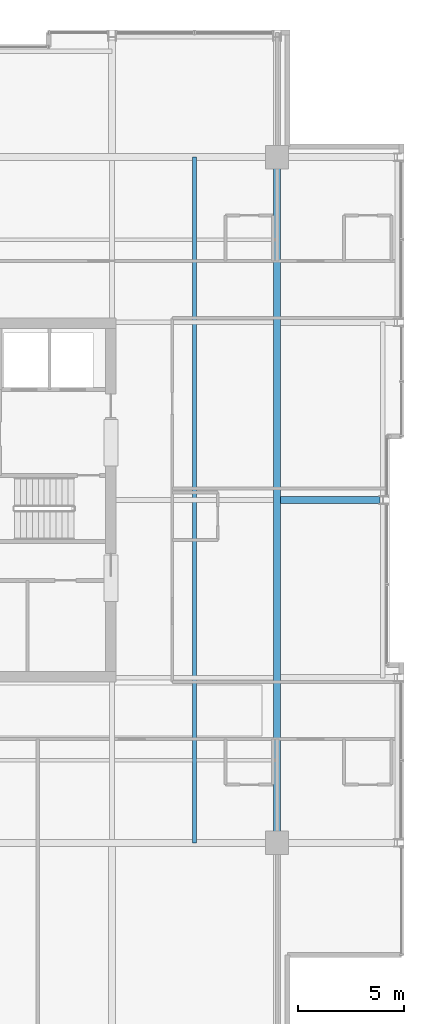
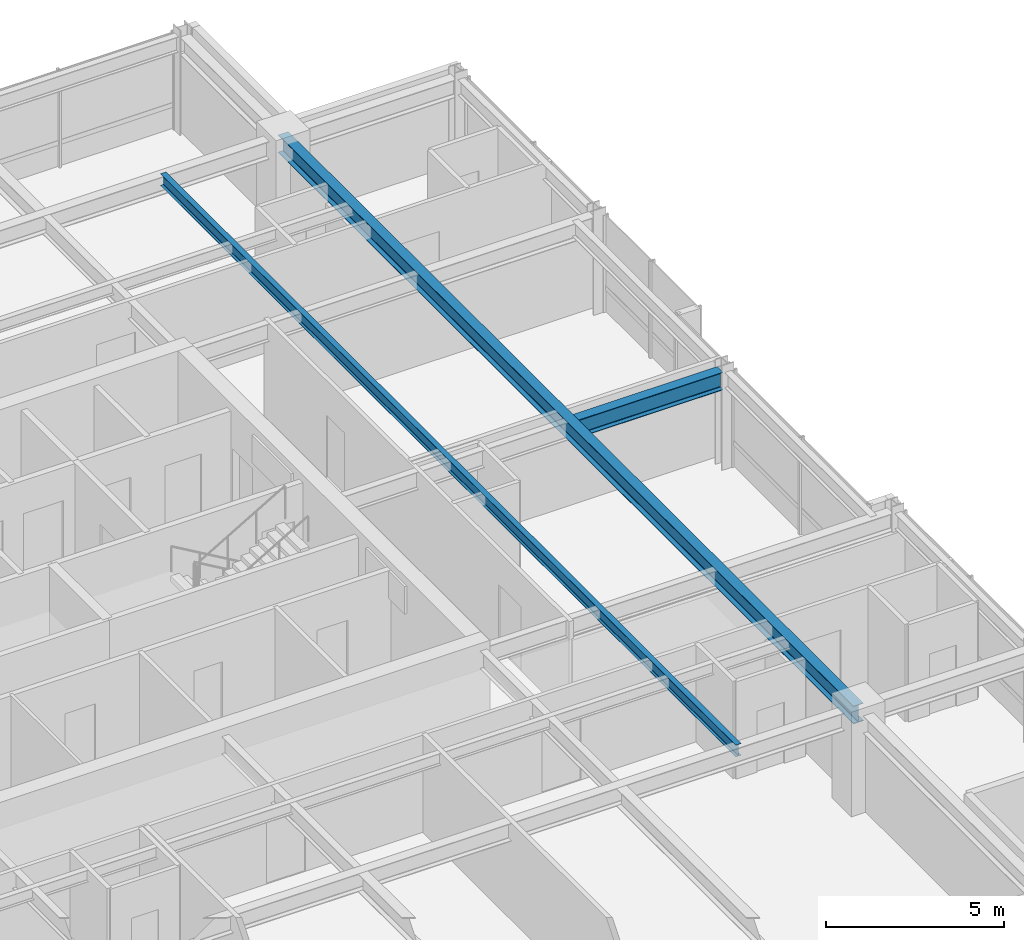
# One storey, part 15 of 31: 3 beams.
"""IFC4 building model written with IfcOpenShell, lengths in metres."""

import ifcopenshell
import ifcopenshell.guid

model = None  # the IFC model being written
_history = None  # IfcOwnerHistory: only IFC2X3 demands one
_inside = {}  # id of a spatial element -> (the spatial element, [elements in it])
_under = {}  # id of a project, library or spatial element -> (it, [spatial elements below it])
_declared = {}  # id of a project -> (the project, [libraries it declares])
_typed = {}  # id of a type object -> (the type object, [elements of that type])
_made_of = {}  # id of a material, layer set ... -> (it, [elements and type objects made of it])


def new_model(schema):
    """Start an empty IFC model of exactly this schema.

    Asked for "IFC4X3", IfcOpenShell would pick the latest addendum, in which some entities
    have other attributes; the version numbers below select the first issue.
    IFC2X3 requires an IfcOwnerHistory on every rooted entity: one is made here for all.
    """
    global model, _history
    if schema == "IFC4X3":
        model = ifcopenshell.file(schema_version=(4, 3, 0, 0))
    else:
        model = ifcopenshell.file(schema=schema)
    _inside.clear()
    _under.clear()
    _declared.clear()
    _typed.clear()
    _made_of.clear()
    _history = None
    if model.schema == "IFC2X3":
        org = make("IfcOrganization", Name="unknown")
        user = make(
            "IfcPersonAndOrganization",
            ThePerson=make("IfcPerson", FamilyName="unknown"),
            TheOrganization=org,
        )
        app = make(
            "IfcApplication",
            ApplicationDeveloper=org,
            Version="unknown",
            ApplicationFullName="unknown",
            ApplicationIdentifier="unknown",
        )
        _history = make(
            "IfcOwnerHistory",
            OwningUser=user,
            OwningApplication=app,
            ChangeAction="ADDED",
            CreationDate=0,
        )
    return model


def make(cls, **values):
    """One entity of the class cls with the attributes given. An attribute that is None is left unset."""
    return model.create_entity(
        cls, **{name: value for name, value in values.items() if value is not None}
    )


def rooted(cls, **values):
    """An entity with a GlobalId (a new one), such as an element, a storey or a relation."""
    return make(cls, GlobalId=ifcopenshell.guid.new(), OwnerHistory=_history, **values)


def si_unit(unit_type, name, prefix=None):
    """IfcSIUnit, for example si_unit("LENGTHUNIT", "METRE", prefix="MILLI")."""
    return make("IfcSIUnit", UnitType=unit_type, Prefix=prefix, Name=name)


def assignment(units):
    """IfcUnitAssignment: the units of a project."""
    return None if units is None else make("IfcUnitAssignment", Units=units)


def point(xyz):
    """IfcCartesianPoint."""
    return None if xyz is None else make("IfcCartesianPoint", Coordinates=xyz)


def direction(xyz):
    """IfcDirection."""
    return None if xyz is None else make("IfcDirection", DirectionRatios=xyz)


def frame(location, z_axis=None, x_axis=None):
    """IfcAxis2Placement3D, a coordinate frame: its origin and axes. An axis left out is left unset."""
    return make(
        "IfcAxis2Placement3D",
        Location=point(location),
        Axis=direction(z_axis),
        RefDirection=direction(x_axis),
    )


def frame_2d(location, x_axis=None):
    """IfcAxis2Placement2D, a coordinate frame in the plane: its origin and x axis."""
    return make(
        "IfcAxis2Placement2D", Location=point(location), RefDirection=direction(x_axis)
    )


def origin():
    """The frame at (0, 0, 0) with its axes left unset."""
    return frame((0.0, 0.0, 0.0))


def origin_2d():
    """The frame at (0, 0) in the plane with its x axis left unset."""
    return frame_2d((0.0, 0.0))


def place(relative_to, where):
    """IfcLocalPlacement: puts the frame where relative to a parent placement (None: the world)."""
    return make(
        "IfcLocalPlacement", PlacementRelTo=relative_to, RelativePlacement=where
    )


def context(
    kind, dimensions, precision=None, world=None, true_north=None, identifier=None
):
    """IfcGeometricRepresentationContext, for example the 3D "Model" context."""
    return make(
        "IfcGeometricRepresentationContext",
        ContextIdentifier=identifier,
        ContextType=kind,
        CoordinateSpaceDimension=dimensions,
        Precision=precision,
        WorldCoordinateSystem=world,
        TrueNorth=true_north,
    )


def subcontext(parent, identifier, kind, view, scale=None):
    """IfcGeometricRepresentationSubContext, for example "Body" below "Model"."""
    return make(
        "IfcGeometricRepresentationSubContext",
        ContextIdentifier=identifier,
        ContextType=kind,
        ParentContext=parent,
        TargetScale=scale,
        TargetView=view,
    )


def project(units=None, contexts=None):
    """IfcProject with its units and contexts."""
    return rooted(
        "IfcProject",
        Name="project",
        RepresentationContexts=contexts,
        UnitsInContext=assignment(units),
    )


def spatial(cls, under=None, at=None, **own):
    """A site, building, storey or space (cls), placed at a placement, below another one or the project."""
    s = rooted(cls, ObjectPlacement=at, **own)
    if under is not None:
        _under.setdefault(under.id(), (under, []))[1].append(s)
    return s


def profile(cls, at=None, kind="AREA", **sizes):
    """A parametric profile (cls). Its sizes go by their IFC names, for example OverallWidth=200.0."""
    return make(cls, ProfileType=kind, Position=at, **sizes)


def i_section(**sizes):
    """IfcIShapeProfileDef."""
    return profile("IfcIShapeProfileDef", **sizes)


def extrude(swept, where, along, depth):
    """IfcExtrudedAreaSolid: the profile swept, set in the frame where, extruded along a direction by depth."""
    return make(
        "IfcExtrudedAreaSolid",
        SweptArea=swept,
        Position=where,
        ExtrudedDirection=direction(along),
        Depth=depth,
    )


def shape(context_of_items, identifier, shape_type, items):
    """IfcShapeRepresentation: the items that make up one representation, for example the "Body"."""
    return make(
        "IfcShapeRepresentation",
        ContextOfItems=context_of_items,
        RepresentationIdentifier=identifier,
        RepresentationType=shape_type,
        Items=items,
    )


def material(Name=None, Category=None):
    """IfcMaterial."""
    return make("IfcMaterial", Name=Name, Category=Category)


def material_profile(
    of_material, cross_section, Name=None, Category=None, Priority=None
):
    """IfcMaterialProfile: a cross section and its material."""
    return make(
        "IfcMaterialProfile",
        Name=Name,
        Material=of_material,
        Profile=cross_section,
        Priority=Priority,
        Category=Category,
    )


def profile_set(profiles, Name=None, composite=None):
    """IfcMaterialProfileSet."""
    return make(
        "IfcMaterialProfileSet",
        Name=Name,
        MaterialProfiles=profiles,
        CompositeProfile=composite,
    )


def made_of(thing, what):
    """Note that an element or type object is made of a material, layer set ...; save() writes the relation."""
    if what is not None:
        _made_of.setdefault(what.id(), (what, []))[1].append(thing)
    return thing


def type_object(cls, material=None, **own):
    """A type object (cls), such as IfcWallType, which elements share."""
    return made_of(rooted(cls, **own), material)


def element(
    cls,
    number,
    at=None,
    inside=None,
    cuts=None,
    type_object=None,
    material=None,
    context=None,
    identifier="Body",
    shape_type=None,
    held_by="IfcProductDefinitionShape",
    body=None,
    shapes=None,
    **own,
):
    """One element of the class cls, such as IfcWall. Its Tag is "e" and its number.

    at: its placement. inside: the storey or other place that contains it. cuts: it is an
    opening in that element (IfcRelVoidsElement). A single representation is given by context,
    identifier, shape_type and body (its items); several are given by shapes. held_by: the class
    of the entity that holds the representations. save() writes the other relations.
    """
    e = rooted(cls, Tag="e%d" % number, ObjectPlacement=at, **own)
    if body is not None:
        shapes = [shape(context, identifier, shape_type, body)]
    if shapes is not None:
        e.Representation = make(held_by, Representations=shapes)
    if inside is not None:
        _inside.setdefault(inside.id(), (inside, []))[1].append(e)
    if cuts is not None:
        rooted(
            "IfcRelVoidsElement", RelatingBuildingElement=cuts, RelatedOpeningElement=e
        )
    if type_object is not None:
        _typed.setdefault(type_object.id(), (type_object, []))[1].append(e)
    return made_of(e, material)


def aggregate(whole, parts):
    """IfcRelAggregates: a whole, such as a stair, and the parts it consists of."""
    return rooted("IfcRelAggregates", RelatingObject=whole, RelatedObjects=parts)


def save(model, path):
    """Write the relations noted so far, then the file.

    IfcRelAggregates (storeys below a building ...), IfcRelContainedInSpatialStructure (elements
    in a storey), IfcRelDefinesByType, IfcRelAssociatesMaterial and IfcRelDeclares: one each for
    every whole, place, type object, material and project.
    """
    for whole, parts in _under.values():
        aggregate(whole, parts)
    for where, things in _inside.values():
        rooted(
            "IfcRelContainedInSpatialStructure",
            RelatedElements=things,
            RelatingStructure=where,
        )
    for kind, things in _typed.values():
        rooted("IfcRelDefinesByType", RelatedObjects=things, RelatingType=kind)
    for what, things in _made_of.values():
        rooted("IfcRelAssociatesMaterial", RelatedObjects=things, RelatingMaterial=what)
    for by, libraries in _declared.values():
        rooted("IfcRelDeclares", RelatingContext=by, RelatedDefinitions=libraries)
    model.write(path)


model = new_model("IFC4")

# Units and contexts
model_context = context("Model", 3, precision=1e-05, world=origin(), true_north=direction((0.0, 1.0)))
body_context = subcontext(model_context, "Body", "Model", "MODEL_VIEW")
ifc_project = project(units=[si_unit("LENGTHUNIT", "METRE"), si_unit("AREAUNIT", "SQUARE_METRE"), si_unit("VOLUMEUNIT", "CUBIC_METRE"), si_unit("PLANEANGLEUNIT", "RADIAN"), si_unit("MASSUNIT", "GRAM", prefix="KILO")], contexts=[model_context])

# Site, building, storey
site_placement = place(None, origin())
site = spatial("IfcSite", under=ifc_project, at=site_placement, CompositionType="ELEMENT")
building_placement = place(site_placement, origin())
building = spatial("IfcBuilding", under=site, at=building_placement, Name="Drelvath Grand Hotel", CompositionType="ELEMENT")
storey_placement = place(building_placement, frame((0.0, 0.0, 219.5)))
storey = spatial("IfcBuildingStorey", under=building, at=storey_placement, Name="L57", CompositionType="ELEMENT", Elevation=219.5)

# Beams
ifc_material = material(Name="Steel ASTM A992 Gr 50", Category="steel")
ifc_material_profile_1 = material_profile(ifc_material, i_section(OverallWidth=0.177734375, OverallDepth=0.40673828125, WebThickness=0.0078125, FlangeThickness=0.0126953125, FilletRadius=0.014892578125, at=origin_2d()), Name="W16X40")
ifc_profile_set_1 = profile_set([ifc_material_profile_1], Name="Steel ASTM A992 Gr 50")
beam_type_1 = type_object("IfcBeamType", Name="Composite Floor Joist W16X40", PredefinedType="JOIST", material=ifc_profile_set_1)
beam_1_placement = place(storey_placement, frame((12.300048828125, 10.800048828125, 3.13671875), z_axis=(0.0, 1.0, 0.0), x_axis=(-1.0, 0.0, 0.0)))
element("IfcBeam", 1, at=beam_1_placement, inside=storey, type_object=beam_type_1, Name="L57 Wing Floor Joist J4", PredefinedType="JOIST", context=body_context, shape_type="SweptSolid", body=[
    extrude(i_section(OverallWidth=0.177734375, OverallDepth=0.40673828125, WebThickness=0.0078125, FlangeThickness=0.0126953125, FilletRadius=0.014892578125, at=origin_2d()), origin(), (0.0, 0.0, 1.0), 32.39990234375),
])
ifc_material_profile_2 = material_profile(ifc_material, i_section(OverallWidth=0.323974609375, OverallDepth=0.611083984375, WebThickness=0.0126953125, FlangeThickness=0.01904296875, FilletRadius=0.02197265625, at=origin_2d()), Name="W24X104")
ifc_profile_set_2 = profile_set([ifc_material_profile_2], Name="Steel ASTM A992 Gr 50")
beam_type_2 = type_object("IfcBeamType", Name="Primary Floor Girder W24X104", PredefinedType="BEAM", material=ifc_profile_set_2)
beam_2_placement = place(storey_placement, frame((16.199951171875, 10.800048828125, 3.034423828125), z_axis=(0.0, 1.0, 0.0), x_axis=(-1.0, 0.0, 0.0)))
element("IfcBeam", 2, at=beam_2_placement, inside=storey, type_object=beam_type_2, Name="L57 Mega Ring Girder East", PredefinedType="BEAM", context=body_context, shape_type="SweptSolid", body=[
    extrude(i_section(OverallWidth=0.323974609375, OverallDepth=0.611083984375, WebThickness=0.0126953125, FlangeThickness=0.01904296875, FilletRadius=0.02197265625, at=origin_2d()), origin(), (0.0, 0.0, 1.0), 32.39990234375),
])
beam_3_placement = place(storey_placement, frame((16.362060546875, 27.0, 3.034423828125), z_axis=(1.0, 0.0, 0.0), x_axis=(0.0, 1.0, 0.0)))
element("IfcBeam", 3, at=beam_3_placement, inside=storey, type_object=beam_type_2, Name="L57 East Wing Girder E", PredefinedType="BEAM", context=body_context, shape_type="SweptSolid", body=[
    extrude(i_section(OverallWidth=0.323974609375, OverallDepth=0.611083984375, WebThickness=0.0126953125, FlangeThickness=0.01904296875, FilletRadius=0.02197265625, at=origin_2d()), origin(), (0.0, 0.0, 1.0), 4.697998046875),
])

save(model, "model.ifc")
